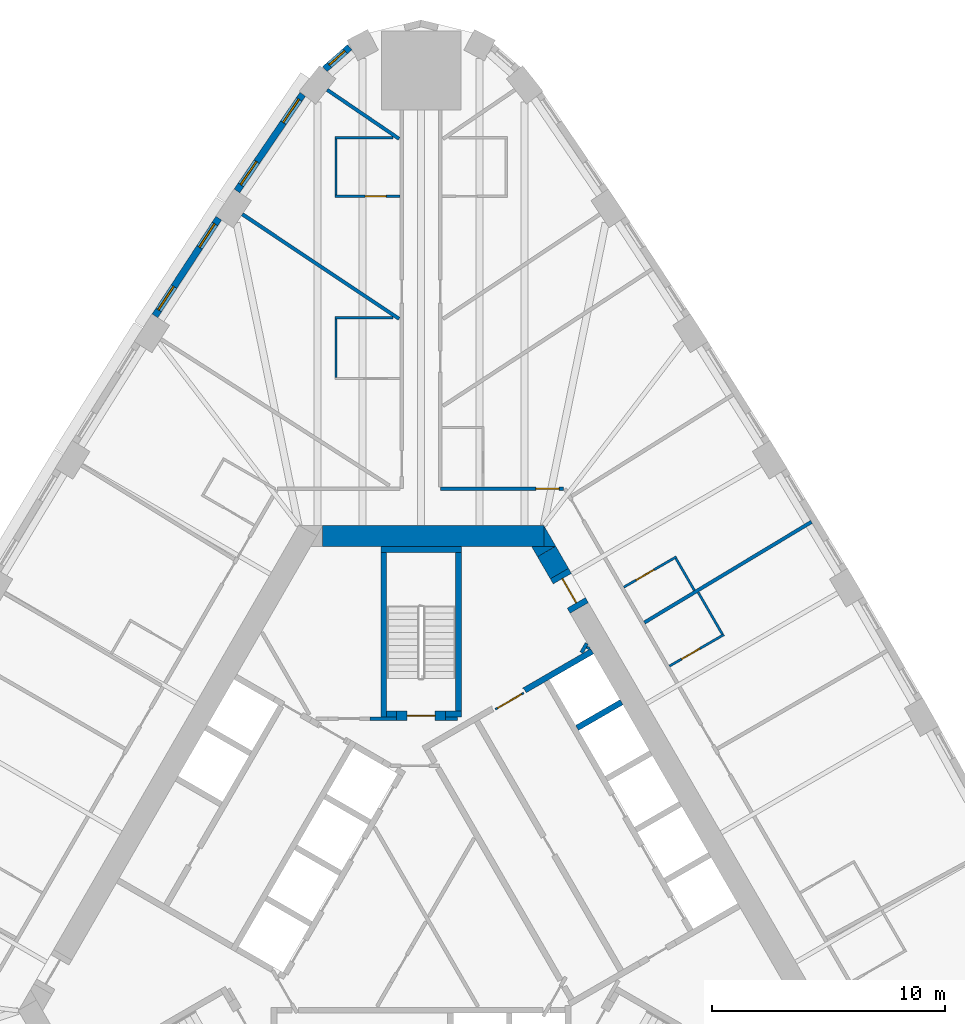
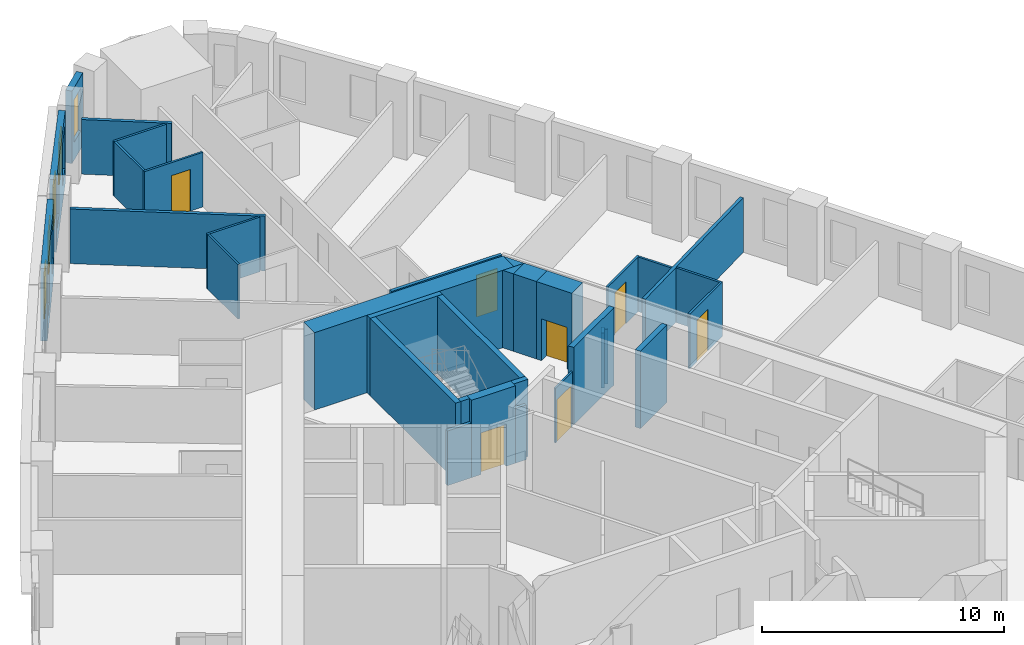
# One storey, part 10 of 13: 34 walls, 7 doors, 5 windows, 12 openings.
"""IFC4 building model written with IfcOpenShell, lengths in metres."""

from ifc_helpers import new_model, si_unit, direction, frame, frame_2d, origin, place, context, subcontext, project, spatial, polyline, rectangle, outline, extrude, material, layer, layer_set, type_object, element, fill, save


model = new_model("IFC4")

# Units and contexts
model_context = context("Model", 3, precision=1e-05, world=origin(), true_north=direction((0.0, 1.0)))
body_context = subcontext(model_context, "Body", "Model", "MODEL_VIEW")
ifc_project = project(units=[si_unit("LENGTHUNIT", "METRE"), si_unit("AREAUNIT", "SQUARE_METRE"), si_unit("VOLUMEUNIT", "CUBIC_METRE"), si_unit("PLANEANGLEUNIT", "RADIAN"), si_unit("MASSUNIT", "GRAM", prefix="KILO")], contexts=[model_context])

# Site, building, storey
site_placement = place(None, origin())
site = spatial("IfcSite", under=ifc_project, at=site_placement, CompositionType="ELEMENT")
building_placement = place(site_placement, origin())
building = spatial("IfcBuilding", under=site, at=building_placement, Name="Mestral Congress Tower", CompositionType="ELEMENT")
storey_placement = place(building_placement, frame((0.0, 0.0, 51.0)))
storey = spatial("IfcBuildingStorey", under=building, at=storey_placement, Name="L11", CompositionType="ELEMENT", Elevation=51.0)

# Walls
ifc_material_1 = material(Name="Fire-rated board partition")
ifc_layer_1 = layer(ifc_material_1, 0.14990234375)
ifc_layer_set_1 = layer_set([ifc_layer_1], Name="Fire-rated board partition")
wall_type_1 = type_object("IfcWallType", Name="Core partition 150", PredefinedType="PARTITIONING", material=ifc_layer_set_1)
wall_1_placement = place(storey_placement, frame((-2.195068359375, 8.62548828125, 0.0), z_axis=(0.0, 0.0, 1.0), x_axis=(1.0, 0.0, 0.0)))
element("IfcWall", 1, at=wall_1_placement, inside=storey, type_object=wall_type_1, Name="L11 core wall", PredefinedType="PARTITIONING", context=body_context, shape_type="SweptSolid", body=[
    extrude(rectangle(XDim=1.14501953125, YDim=0.14990234375, at=frame_2d((0.572509765625, 0.0))), origin(), (0.0, 0.0, 1.0), 2.75),
])
wall_2_placement = place(storey_placement, frame((1.050048828125, 8.62548828125, 0.0), z_axis=(0.0, 0.0, 1.0), x_axis=(1.0, 0.0, 0.0)))
element("IfcWall", 2, at=wall_2_placement, inside=storey, type_object=wall_type_1, Name="L11 core wall", PredefinedType="PARTITIONING", context=body_context, shape_type="SweptSolid", body=[
    extrude(rectangle(XDim=0.513916015625, YDim=0.14990234375, at=frame_2d((0.2568359375, 0.0))), origin(), (0.0, 0.0, 1.0), 2.75),
])
wall_3_placement = place(storey_placement, frame((6.87158203125, 11.44970703125, 0.0), z_axis=(0.0, 0.0, 1.0), x_axis=(0.499846793097, 0.866113839764, 0.0)))
element("IfcWall", 3, at=wall_3_placement, inside=storey, type_object=wall_type_1, Name="L11 core wall", PredefinedType="PARTITIONING", context=body_context, shape_type="SweptSolid", body=[
    extrude(rectangle(XDim=0.453369140625, YDim=0.14990234375, at=frame_2d((0.2265625, 0.0))), origin(), (0.0, 0.0, 1.0), 2.75),
])
wall_4_placement = place(storey_placement, frame((7.13134765625, 11.599609375, 0.0), z_axis=(0.0, 0.0, 1.0), x_axis=(0.498600033135, 0.866832167699, 0.0)))
element("IfcWall", 4, at=wall_4_placement, inside=storey, type_object=wall_type_1, Name="L11 core wall", PredefinedType="PARTITIONING", context=body_context, shape_type="SweptSolid", body=[
    extrude(rectangle(XDim=0.106689453125, YDim=0.14990234375, at=frame_2d((0.05322265625, 0.0))), origin(), (0.0, 0.0, 1.0), 2.75),
])

# Wall, opening, door
ifc_layer_2 = layer(ifc_material_1, 0.090087890625)
ifc_layer_set_2 = layer_set([ifc_layer_2], Name="Fire-rated board partition")
wall_type_2 = type_object("IfcWallType", Name="Core partition 150 door-wall 90", PredefinedType="PARTITIONING", material=ifc_layer_set_2)
wall_5_placement = place(storey_placement, frame((3.182861328125, 9.02001953125, 0.0), z_axis=(0.0, 0.0, 1.0), x_axis=(0.866034573852, 0.49998411664, 0.0)))
wall_5 = element("IfcWall", 5, at=wall_5_placement, inside=storey, type_object=wall_type_2, Name="L11 door wall", PredefinedType="PARTITIONING", context=body_context, shape_type="SweptSolid", body=[
    extrude(rectangle(XDim=1.39990234375, YDim=0.090087890625, at=frame_2d((0.699951171875, 0.0))), origin(), (0.0, 0.0, 1.0), 2.75),
])
opening_1_placement = place(wall_5_placement, frame((0.10009765625, 0.0, 0.0)))
opening_1 = element("IfcOpeningElement", 6, at=opening_1_placement, cuts=wall_5, Name="Opening LB1-WL2", PredefinedType="OPENING", context=body_context, shape_type="SweptSolid", body=[
    extrude(rectangle(XDim=1.199951171875, YDim=2.10009765625, at=frame_2d((0.60009765625, 1.050048828125))), frame((0.0, 0.054931640625, 0.0), z_axis=(0.0, -1.0, 0.0), x_axis=(1.0, 0.0, 0.0)), (0.0, 0.0, 1.0), 0.110107421875),
])
ifc_material_2 = material(Name="Fire-rated steel door set", Category="steel")
door_type_1 = type_object("IfcDoorType", Name="Core door LB 1200x2100", OperationType="SINGLE_SWING_LEFT", PredefinedType="DOOR", material=ifc_material_2)
door_1_placement = place(opening_1_placement, origin())
door_1 = element("IfcDoor", 7, at=door_1_placement, inside=storey, type_object=door_type_1, Name="Door LB1-WL2", OperationType="SINGLE_SWING_LEFT", OverallHeight=2.10009765625, OverallWidth=1.199951171875, PredefinedType="DOOR", context=body_context, shape_type="SweptSolid", body=[
    extrude(rectangle(XDim=1.199951171875, YDim=2.10009765625, at=frame_2d((0.60009765625, 1.050048828125))), frame((0.0, 0.02490234375, 0.0), z_axis=(0.0, -1.0, 0.0), x_axis=(1.0, 0.0, 0.0)), (0.0, 0.0, 1.0), 0.050048828125),
])
fill(opening_1, door_1)

# Walls
ifc_material_3 = material(Name="Concrete C60/75", Category="concrete")
ifc_layer_3 = layer(ifc_material_3, 0.89990234375)
ifc_layer_set_3 = layer_set([ifc_layer_3], Name="Concrete C60/75")
wall_type_3 = type_object("IfcWallType", Name="Core wall RC 900", PredefinedType="SOLIDWALL", material=ifc_layer_set_3)
wall_6_placement = place(storey_placement, frame((-4.224365234375, 16.449951171875, 0.0), z_axis=(0.0, 0.0, 1.0), x_axis=(1.0, 0.0, 0.0)))
element("IfcWall", 8, at=wall_6_placement, inside=storey, type_object=wall_type_3, Name="L11 core wall", PredefinedType="SOLIDWALL", context=body_context, shape_type="SweptSolid", body=[
    extrude(rectangle(XDim=9.48779296875, YDim=0.89990234375, at=frame_2d((4.743896484375, 0.0))), origin(), (0.0, 0.0, 1.0), 3.89990234375),
])
placement = place(storey_placement, origin())
element("IfcWall", 9, at=placement, inside=storey, type_object=wall_type_3, Name="L11 core wall", PredefinedType="SOLIDWALL", context=body_context, shape_type="SweptSolid", body=[
    extrude(outline(polyline([(5.265380859375, 16.0), (5.265380859375, 16.8798828125), (5.7734375, 16.0), (5.265380859375, 16.0)])), origin(), (0.0, 0.0, 1.0), 3.89990234375),
])
wall_8_placement = place(storey_placement, frame((5.92578125, 14.836181640625, 0.0), z_axis=(0.0, 0.0, 1.0), x_axis=(-0.500076735116, 0.865981096212, 0.0)))
element("IfcWall", 10, at=wall_8_placement, inside=storey, type_object=wall_type_3, Name="L11 core wall", PredefinedType="SOLIDWALL", context=body_context, shape_type="SweptSolid", body=[
    extrude(rectangle(XDim=1.093505859375, YDim=0.89990234375, at=frame_2d((0.546875, 0.0))), origin(), (0.0, 0.0, 1.0), 3.89990234375),
])
element("IfcWall", 11, at=placement, inside=storey, type_object=wall_type_3, Name="L11 core wall", PredefinedType="SOLIDWALL", context=body_context, shape_type="SweptSolid", body=[
    extrude(outline(polyline([(4.734375, 16.0), (5.750244140625, 16.0), (4.98828125, 15.56005859375), (4.734375, 16.0)])), origin(), (0.0, 0.0, 1.0), 3.89990234375),
])

# Wall, opening, door
wall_10_placement = place(storey_placement, frame((5.92578125, 14.836181640625, 0.0), z_axis=(0.0, 0.0, 1.0), x_axis=(0.500062241894, -0.865989465428, 0.0)))
wall_10 = element("IfcWall", 12, at=wall_10_placement, inside=storey, type_object=wall_type_3, Name="L11 door wall", PredefinedType="SOLIDWALL", context=body_context, shape_type="SweptSolid", body=[
    extrude(rectangle(XDim=1.699951171875, YDim=0.89990234375, at=frame_2d((0.85009765625, 0.0))), origin(), (0.0, 0.0, 1.0), 3.89990234375),
])
opening_2_placement = place(wall_10_placement, frame((0.25, 0.0, 0.0)))
opening_2 = element("IfcOpeningElement", 13, at=opening_2_placement, cuts=wall_10, Name="Opening XD2", PredefinedType="OPENING", context=body_context, shape_type="SweptSolid", body=[
    extrude(rectangle(XDim=1.199951171875, YDim=2.10009765625, at=frame_2d((0.60009765625, 1.050048828125))), frame((0.0, 0.4599609375, 0.0), z_axis=(0.0, -1.0, 0.0), x_axis=(1.0, 0.0, 0.0)), (0.0, 0.0, 1.0), 0.919921875),
])
door_type_2 = type_object("IfcDoorType", Name="Core door XD 1200x2100", OperationType="SINGLE_SWING_LEFT", PredefinedType="DOOR", material=ifc_material_2)
door_2_placement = place(opening_2_placement, origin())
door_2 = element("IfcDoor", 14, at=door_2_placement, inside=storey, type_object=door_type_2, Name="Door XD2", OperationType="SINGLE_SWING_LEFT", OverallHeight=2.10009765625, OverallWidth=1.199951171875, PredefinedType="DOOR", context=body_context, shape_type="SweptSolid", body=[
    extrude(rectangle(XDim=1.199951171875, YDim=2.10009765625, at=frame_2d((0.60009765625, 1.050048828125))), frame((0.0, 0.02490234375, 0.0), z_axis=(0.0, -1.0, 0.0), x_axis=(1.0, 0.0, 0.0)), (0.0, 0.0, 1.0), 0.050048828125),
])
fill(opening_2, door_2)

# Wall, opening, window
ifc_material_4 = material(Name="Precast concrete C40/50 with limestone facing", Category="masonry")
ifc_layer_4 = layer(ifc_material_4, 0.2900390625)
ifc_layer_set_4 = layer_set([ifc_layer_4], Name="Precast concrete C40/50 with limestone facing")
wall_type_4 = type_object("IfcWallType", Name="Facade stone wall 290", PredefinedType="SOLIDWALL", material=ifc_layer_set_4)
wall_11_placement = place(storey_placement, frame((-3.064453125, 37.395263671875, 0.0), z_axis=(0.0, 0.0, 1.0), x_axis=(-0.749812680302, -0.661650167731, 0.0)))
wall_11 = element("IfcWall", 15, at=wall_11_placement, inside=storey, type_object=wall_type_4, Name="Facade wall K1-3", PredefinedType="SOLIDWALL", context=body_context, shape_type="SweptSolid", body=[
    extrude(rectangle(XDim=1.4150390625, YDim=0.2900390625, at=frame_2d((0.70751953125, 0.0))), origin(), (0.0, 0.0, 1.0), 3.64990234375),
])
opening_3_placement = place(wall_11_placement, frame((0.257568359375, 0.0, 0.89990234375)))
opening_3 = element("IfcOpeningElement", 16, at=opening_3_placement, cuts=wall_11, Name="Opening W3", PredefinedType="OPENING", context=body_context, shape_type="SweptSolid", body=[
    extrude(rectangle(XDim=0.89990234375, YDim=2.14990234375, at=frame_2d((0.449951171875, 1.074951171875))), frame((0.0, 0.155029296875, 0.0), z_axis=(0.0, -1.0, 0.0), x_axis=(1.0, 0.0, 0.0)), (0.0, 0.0, 1.0), 0.31005859375),
])
ifc_material_5 = material(Name="Clear low-emissivity double glazing", Category="glass")
window_type_1 = type_object("IfcWindowType", Name="Facade punched window 900 x 2150 sill 900", PartitioningType="SINGLE_PANEL", PredefinedType="WINDOW", material=ifc_material_5)
window_1_placement = place(opening_3_placement, origin())
window_1 = element("IfcWindow", 17, at=window_1_placement, inside=storey, type_object=window_type_1, Name="Window K1-3", OverallHeight=2.14990234375, OverallWidth=0.89990234375, PartitioningType="SINGLE_PANEL", PredefinedType="WINDOW", context=body_context, shape_type="SweptSolid", body=[
    extrude(rectangle(XDim=0.89990234375, YDim=2.14990234375, at=frame_2d((0.449951171875, 1.074951171875))), frame((0.0, 0.01513671875, 0.0), z_axis=(0.0, -1.0, 0.0), x_axis=(1.0, 0.0, 0.0)), (0.0, 0.0, 1.0), 0.06005859375),
])
fill(opening_3, window_1)

# Wall, openings, windows
wall_12_placement = place(storey_placement, frame((-5.078369140625, 35.37646484375, 0.0), z_axis=(0.0, 0.0, 1.0), x_axis=(-0.562610153679, -0.826722332454, 0.0)))
wall_12 = element("IfcWall", 18, at=wall_12_placement, inside=storey, type_object=wall_type_4, Name="Facade wall F2-00", PredefinedType="SOLIDWALL", context=body_context, shape_type="SweptSolid", body=[
    extrude(rectangle(XDim=5.005615234375, YDim=0.2900390625, at=frame_2d((2.5029296875, 0.0))), origin(), (0.0, 0.0, 1.0), 3.64990234375),
])
opening_4_placement = place(wall_12_placement, frame((0.26513671875, 0.0, 0.89990234375)))
opening_4 = element("IfcOpeningElement", 19, at=opening_4_placement, cuts=wall_12, Name="Opening W1", PredefinedType="OPENING", context=body_context, shape_type="SweptSolid", body=[
    extrude(rectangle(XDim=1.199951171875, YDim=2.14990234375, at=frame_2d((0.60009765625, 1.074951171875))), frame((0.0, 0.155029296875, 0.0), z_axis=(0.0, -1.0, 0.0), x_axis=(1.0, 0.0, 0.0)), (0.0, 0.0, 1.0), 0.31005859375),
])
opening_5_placement = place(wall_12_placement, frame((3.495361328125, 0.0, 0.89990234375)))
opening_5 = element("IfcOpeningElement", 20, at=opening_5_placement, cuts=wall_12, Name="Opening W1", PredefinedType="OPENING", context=body_context, shape_type="SweptSolid", body=[
    extrude(rectangle(XDim=1.199951171875, YDim=2.14990234375, at=frame_2d((0.60009765625, 1.074951171875))), frame((0.0, 0.155029296875, 0.0), z_axis=(0.0, -1.0, 0.0), x_axis=(1.0, 0.0, 0.0)), (0.0, 0.0, 1.0), 0.31005859375),
])
window_type_2 = type_object("IfcWindowType", Name="Facade punched window 1200 x 2150 sill 900", PartitioningType="DOUBLE_PANEL_VERTICAL", PredefinedType="WINDOW", material=ifc_material_5)
window_2_placement = place(opening_4_placement, origin())
window_2 = element("IfcWindow", 21, at=window_2_placement, inside=storey, type_object=window_type_2, Name="Window F2-00a", OverallHeight=2.14990234375, OverallWidth=1.199951171875, PartitioningType="DOUBLE_PANEL_VERTICAL", PredefinedType="WINDOW", context=body_context, shape_type="SweptSolid", body=[
    extrude(rectangle(XDim=1.199951171875, YDim=2.14990234375, at=frame_2d((0.60009765625, 1.074951171875))), frame((0.0, 0.01513671875, 0.0), z_axis=(0.0, -1.0, 0.0), x_axis=(1.0, 0.0, 0.0)), (0.0, 0.0, 1.0), 0.06005859375),
])
fill(opening_4, window_2)
window_3_placement = place(opening_5_placement, origin())
window_3 = element("IfcWindow", 22, at=window_3_placement, inside=storey, type_object=window_type_2, Name="Window F2-00b", OverallHeight=2.14990234375, OverallWidth=1.199951171875, PartitioningType="DOUBLE_PANEL_VERTICAL", PredefinedType="WINDOW", context=body_context, shape_type="SweptSolid", body=[
    extrude(rectangle(XDim=1.199951171875, YDim=2.14990234375, at=frame_2d((0.60009765625, 1.074951171875))), frame((0.0, 0.01513671875, 0.0), z_axis=(0.0, -1.0, 0.0), x_axis=(1.0, 0.0, 0.0)), (0.0, 0.0, 1.0), 0.06005859375),
])
fill(opening_5, window_3)

wall_13_placement = place(storey_placement, frame((-8.675537109375, 30.067626953125, 0.0), z_axis=(0.0, 0.0, 1.0), x_axis=(-0.547204617628, -0.836998868845, 0.0)))
wall_13 = element("IfcWall", 23, at=wall_13_placement, inside=storey, type_object=wall_type_4, Name="Facade wall F2-01", PredefinedType="SOLIDWALL", context=body_context, shape_type="SweptSolid", body=[
    extrude(rectangle(XDim=4.998291015625, YDim=0.2900390625, at=frame_2d((2.4990234375, 0.0))), origin(), (0.0, 0.0, 1.0), 3.64990234375),
])
opening_6_placement = place(wall_13_placement, frame((0.297119140625, 0.0, 0.89990234375)))
opening_6 = element("IfcOpeningElement", 24, at=opening_6_placement, cuts=wall_13, Name="Opening W1", PredefinedType="OPENING", context=body_context, shape_type="SweptSolid", body=[
    extrude(rectangle(XDim=1.199951171875, YDim=2.14990234375, at=frame_2d((0.60009765625, 1.074951171875))), frame((0.0, 0.155029296875, 0.0), z_axis=(0.0, -1.0, 0.0), x_axis=(1.0, 0.0, 0.0)), (0.0, 0.0, 1.0), 0.31005859375),
])
opening_7_placement = place(wall_13_placement, frame((3.501220703125, 0.0, 0.89990234375)))
opening_7 = element("IfcOpeningElement", 25, at=opening_7_placement, cuts=wall_13, Name="Opening W1", PredefinedType="OPENING", context=body_context, shape_type="SweptSolid", body=[
    extrude(rectangle(XDim=1.199951171875, YDim=2.14990234375, at=frame_2d((0.60009765625, 1.074951171875))), frame((0.0, 0.155029296875, 0.0), z_axis=(0.0, -1.0, 0.0), x_axis=(1.0, 0.0, 0.0)), (0.0, 0.0, 1.0), 0.31005859375),
])
window_4_placement = place(opening_6_placement, origin())
window_4 = element("IfcWindow", 26, at=window_4_placement, inside=storey, type_object=window_type_2, Name="Window F2-01a", OverallHeight=2.14990234375, OverallWidth=1.199951171875, PartitioningType="DOUBLE_PANEL_VERTICAL", PredefinedType="WINDOW", context=body_context, shape_type="SweptSolid", body=[
    extrude(rectangle(XDim=1.199951171875, YDim=2.14990234375, at=frame_2d((0.60009765625, 1.074951171875))), frame((0.0, 0.01513671875, 0.0), z_axis=(0.0, -1.0, 0.0), x_axis=(1.0, 0.0, 0.0)), (0.0, 0.0, 1.0), 0.06005859375),
])
fill(opening_6, window_4)
window_5_placement = place(opening_7_placement, origin())
window_5 = element("IfcWindow", 27, at=window_5_placement, inside=storey, type_object=window_type_2, Name="Window F2-01b", OverallHeight=2.14990234375, OverallWidth=1.199951171875, PartitioningType="DOUBLE_PANEL_VERTICAL", PredefinedType="WINDOW", context=body_context, shape_type="SweptSolid", body=[
    extrude(rectangle(XDim=1.199951171875, YDim=2.14990234375, at=frame_2d((0.60009765625, 1.074951171875))), frame((0.0, 0.01513671875, 0.0), z_axis=(0.0, -1.0, 0.0), x_axis=(1.0, 0.0, 0.0)), (0.0, 0.0, 1.0), 0.06005859375),
])
fill(opening_7, window_5)

# Wall, opening, door
ifc_material_6 = material(Name="Gypsum board partition on metal studs with mineral wool", Category="composite")
ifc_layer_5 = layer(ifc_material_6, 0.10009765625)
ifc_layer_set_5 = layer_set([ifc_layer_5], Name="Gypsum board partition on metal studs with mineral wool")
wall_type_5 = type_object("IfcWallType", Name="Hotel partition wall 100", PredefinedType="PARTITIONING", material=ifc_layer_set_5)
wall_14_placement = place(storey_placement, frame((10.640380859375, 10.87060546875, 0.0), z_axis=(0.0, 0.0, 1.0), x_axis=(0.866036505625, 0.499980770555, 0.0)))
wall_14 = element("IfcWall", 28, at=wall_14_placement, inside=storey, type_object=wall_type_5, Name="L11-h-pod13a", PredefinedType="PARTITIONING", context=body_context, shape_type="SweptSolid", body=[
    extrude(rectangle(XDim=2.69970703125, YDim=0.10009765625, at=frame_2d((1.349853515625, 0.0))), origin(), (0.0, 0.0, 1.0), 2.75),
])
opening_8_placement = place(wall_14_placement, frame((0.60009765625, 0.0, 0.0)))
opening_8 = element("IfcOpeningElement", 29, at=opening_8_placement, cuts=wall_14, Name="Opening H03-026", PredefinedType="OPENING", context=body_context, shape_type="SweptSolid", body=[
    extrude(rectangle(XDim=0.89990234375, YDim=2.10009765625, at=frame_2d((0.449951171875, 1.050048828125))), frame((0.0, 0.06005859375, 0.0), z_axis=(0.0, -1.0, 0.0), x_axis=(1.0, 0.0, 0.0)), (0.0, 0.0, 1.0), 0.1201171875),
])
ifc_material_7 = material(Name="Timber veneer door leaf in timber frame", Category="wood")
door_type_3 = type_object("IfcDoorType", Name="Bathroom door 900", OperationType="SINGLE_SWING_LEFT", PredefinedType="DOOR", material=ifc_material_7)
door_3_placement = place(opening_8_placement, origin())
door_3 = element("IfcDoor", 30, at=door_3_placement, inside=storey, type_object=door_type_3, Name="L11-h-d026", OperationType="SINGLE_SWING_LEFT", OverallHeight=2.10009765625, OverallWidth=0.89990234375, PredefinedType="DOOR", context=body_context, shape_type="SweptSolid", body=[
    extrude(rectangle(XDim=0.89990234375, YDim=2.10009765625, at=frame_2d((0.449951171875, 1.050048828125))), frame((0.0, 0.02490234375, 0.0), z_axis=(0.0, -1.0, 0.0), x_axis=(1.0, 0.0, 0.0)), (0.0, 0.0, 1.0), 0.050048828125),
])
fill(opening_8, door_3)

# Wall
wall_15_placement = place(storey_placement, frame((12.91015625, 12.23876953125, 0.0), z_axis=(0.0, 0.0, 1.0), x_axis=(-0.499957272447, 0.866050071143, 0.0)))
element("IfcWall", 31, at=wall_15_placement, inside=storey, type_object=wall_type_5, Name="L11-h-pod13b", PredefinedType="PARTITIONING", context=body_context, shape_type="SweptSolid", body=[
    extrude(rectangle(XDim=2.070068359375, YDim=0.10009765625, at=frame_2d((1.03515625, 0.0))), origin(), (0.0, 0.0, 1.0), 2.75),
])

# Wall, opening, door
wall_16_placement = place(storey_placement, frame((10.938232421875, 15.55419921875, 0.0), z_axis=(0.0, 0.0, 1.0), x_axis=(-0.866062058628, -0.499936506574, 0.0)))
wall_16 = element("IfcWall", 32, at=wall_16_placement, inside=storey, type_object=wall_type_5, Name="L11-h-pod14a", PredefinedType="PARTITIONING", context=body_context, shape_type="SweptSolid", body=[
    extrude(rectangle(XDim=2.599853515625, YDim=0.10009765625, at=frame_2d((1.2998046875, 0.0))), origin(), (0.0, 0.0, 1.0), 2.75),
])
opening_9_placement = place(wall_16_placement, frame((1.10009765625, 0.0, 0.0)))
opening_9 = element("IfcOpeningElement", 33, at=opening_9_placement, cuts=wall_16, Name="Opening H03-028", PredefinedType="OPENING", context=body_context, shape_type="SweptSolid", body=[
    extrude(rectangle(XDim=0.89990234375, YDim=2.10009765625, at=frame_2d((0.449951171875, 1.050048828125))), frame((0.0, 0.06005859375, 0.0), z_axis=(0.0, -1.0, 0.0), x_axis=(1.0, 0.0, 0.0)), (0.0, 0.0, 1.0), 0.1201171875),
])
door_4_placement = place(opening_9_placement, origin())
door_4 = element("IfcDoor", 34, at=door_4_placement, inside=storey, type_object=door_type_3, Name="L11-h-d028", OperationType="SINGLE_SWING_LEFT", OverallHeight=2.10009765625, OverallWidth=0.89990234375, PredefinedType="DOOR", context=body_context, shape_type="SweptSolid", body=[
    extrude(rectangle(XDim=0.89990234375, YDim=2.10009765625, at=frame_2d((0.449951171875, 1.050048828125))), frame((0.0, 0.02490234375, 0.0), z_axis=(0.0, -1.0, 0.0), x_axis=(1.0, 0.0, 0.0)), (0.0, 0.0, 1.0), 0.050048828125),
])
fill(opening_9, door_4)

# Wall
wall_17_placement = place(storey_placement, frame((10.919921875, 15.486083984375, 0.0), z_axis=(0.0, 0.0, 1.0), x_axis=(0.499994407638, -0.866028632512, 0.0)))
element("IfcWall", 35, at=wall_17_placement, inside=storey, type_object=wall_type_5, Name="L11-h-pod14b", PredefinedType="PARTITIONING", context=body_context, shape_type="SweptSolid", body=[
    extrude(rectangle(XDim=1.580078125, YDim=0.10009765625, at=frame_2d((0.7900390625, 0.0))), origin(), (0.0, 0.0, 1.0), 2.75),
])

# Wall, opening, door
wall_18_placement = place(storey_placement, frame((-3.699951171875, 31.008544921875, 0.0), z_axis=(0.0, 0.0, 1.0), x_axis=(1.0, 0.0, 0.0)))
wall_18 = element("IfcWall", 36, at=wall_18_placement, inside=storey, type_object=wall_type_5, Name="L11-h-pod18a", PredefinedType="PARTITIONING", context=body_context, shape_type="SweptSolid", body=[
    extrude(rectangle(XDim=2.800048828125, YDim=0.10009765625, at=frame_2d((1.39990234375, 0.0))), origin(), (0.0, 0.0, 1.0), 2.75),
])
opening_10_placement = place(wall_18_placement, frame((1.300048828125, 0.0, 0.0)))
opening_10 = element("IfcOpeningElement", 37, at=opening_10_placement, cuts=wall_18, Name="Opening H03-035", PredefinedType="OPENING", context=body_context, shape_type="SweptSolid", body=[
    extrude(rectangle(XDim=0.89990234375, YDim=2.10009765625, at=frame_2d((0.449951171875, 1.050048828125))), frame((0.0, 0.06005859375, 0.0), z_axis=(0.0, -1.0, 0.0), x_axis=(1.0, 0.0, 0.0)), (0.0, 0.0, 1.0), 0.1201171875),
])
door_5_placement = place(opening_10_placement, origin())
door_5 = element("IfcDoor", 38, at=door_5_placement, inside=storey, type_object=door_type_3, Name="L11-h-d035", OperationType="SINGLE_SWING_RIGHT", OverallHeight=2.10009765625, OverallWidth=0.89990234375, PredefinedType="DOOR", context=body_context, shape_type="SweptSolid", body=[
    extrude(rectangle(XDim=0.89990234375, YDim=2.10009765625, at=frame_2d((0.449951171875, 1.050048828125))), frame((0.0, 0.02490234375, 0.0), z_axis=(0.0, -1.0, 0.0), x_axis=(1.0, 0.0, 0.0)), (0.0, 0.0, 1.0), 0.050048828125),
])
fill(opening_10, door_5)

# Walls
wall_19_placement = place(storey_placement, frame((-3.64990234375, 31.05859375, 0.0), z_axis=(0.0, 0.0, 1.0), x_axis=(0.0, 1.0, 0.0)))
element("IfcWall", 39, at=wall_19_placement, inside=storey, type_object=wall_type_5, Name="L11-h-pod18b", PredefinedType="PARTITIONING", context=body_context, shape_type="SweptSolid", body=[
    extrude(rectangle(XDim=2.39990234375, YDim=0.10009765625, at=frame_2d((1.199951171875, 0.0))), origin(), (0.0, 0.0, 1.0), 2.75),
])
for number, where, z_axis, x_axis, name in (
    (40, (-1.199951171875, 33.508544921875, 0.0), (0.0, 0.0, 1.0), (-1.0, 0.0, 0.0), "L11-h-pod18c"),
    (41, (-3.64990234375, 23.24462890625, 0.0), (0.0, 0.0, 1.0), (0.0, 1.0, 0.0), "L11-h-pod19b"),
):
    element("IfcWall", number, at=place(storey_placement, frame(where, z_axis=z_axis, x_axis=x_axis)), inside=storey, type_object=wall_type_5, Name=name, PredefinedType="PARTITIONING", context=body_context, shape_type="SweptSolid", body=[
        extrude(rectangle(XDim=2.5, YDim=0.10009765625, at=frame_2d((1.25, 0.0))), origin(), (0.0, 0.0, 1.0), 2.75),
    ])
wall_20_placement = place(storey_placement, frame((-1.2099609375, 25.794677734375, 0.0), z_axis=(0.0, 0.0, 1.0), x_axis=(-1.0, 0.0, 0.0)))
element("IfcWall", 42, at=wall_20_placement, inside=storey, type_object=wall_type_5, Name="L11-h-pod19c", PredefinedType="PARTITIONING", context=body_context, shape_type="SweptSolid", body=[
    extrude(rectangle(XDim=2.489990234375, YDim=0.10009765625, at=frame_2d((1.2451171875, 0.0))), origin(), (0.0, 0.0, 1.0), 2.75),
])

# Wall, opening, door
ifc_layer_6 = layer(ifc_material_6, 0.14990234375)
ifc_layer_set_6 = layer_set([ifc_layer_6], Name="Gypsum board partition on metal studs with mineral wool")
wall_type_6 = type_object("IfcWallType", Name="Hotel partition wall 150", PredefinedType="PARTITIONING", material=ifc_layer_set_6)
wall_21_placement = place(storey_placement, frame((0.824951171875, 18.47509765625, 0.0), z_axis=(0.0, 0.0, 1.0), x_axis=(1.0, 0.0, 0.0)))
wall_21 = element("IfcWall", 43, at=wall_21_placement, inside=storey, type_object=wall_type_6, Name="L11-h-cw04", PredefinedType="PARTITIONING", context=body_context, shape_type="SweptSolid", body=[
    extrude(rectangle(XDim=5.268310546875, YDim=0.14990234375, at=frame_2d((2.63427734375, 0.0))), origin(), (0.0, 0.0, 1.0), 2.75),
])
opening_11_placement = place(wall_21_placement, frame((4.088134765625, 0.0, 0.0)))
opening_11 = element("IfcOpeningElement", 44, at=opening_11_placement, cuts=wall_21, Name="Opening H03-029", PredefinedType="OPENING", context=body_context, shape_type="SweptSolid", body=[
    extrude(rectangle(XDim=1.0, YDim=2.10009765625, at=frame_2d((0.5, 1.050048828125))), frame((0.0, 0.0849609375, 0.0), z_axis=(0.0, -1.0, 0.0), x_axis=(1.0, 0.0, 0.0)), (0.0, 0.0, 1.0), 0.169921875),
])
ifc_material_8 = material(Name="Timber veneer door leaf in metal frame", Category="wood")
door_type_4 = type_object("IfcDoorType", Name="Guest room entrance door 1000", OperationType="SINGLE_SWING_LEFT", PredefinedType="DOOR", material=ifc_material_8)
door_6_placement = place(opening_11_placement, origin())
door_6 = element("IfcDoor", 45, at=door_6_placement, inside=storey, type_object=door_type_4, Name="L11-h-d029", OperationType="SINGLE_SWING_RIGHT", OverallHeight=2.10009765625, OverallWidth=1.0, PredefinedType="DOOR", context=body_context, shape_type="SweptSolid", body=[
    extrude(rectangle(XDim=1.0, YDim=2.10009765625, at=frame_2d((0.5, 1.050048828125))), frame((0.0, 0.02490234375, 0.0), z_axis=(0.0, -1.0, 0.0), x_axis=(1.0, 0.0, 0.0)), (0.0, 0.0, 1.0), 0.050048828125),
])
fill(opening_11, door_6)

# Walls
wall_22_placement = place(storey_placement, frame((-4.02783203125, 35.56884765625, 0.0), z_axis=(0.0, 0.0, 1.0), x_axis=(0.826700206326, -0.56264266534, 0.0)))
element("IfcWall", 46, at=wall_22_placement, inside=storey, type_object=wall_type_6, Name="L11-h-pw11", PredefinedType="PARTITIONING", context=body_context, shape_type="SweptSolid", body=[
    extrude(rectangle(XDim=3.7333984375, YDim=0.14990234375, at=frame_2d((1.86669921875, 0.0))), origin(), (0.0, 0.0, 1.0), 2.75),
])
wall_23_placement = place(storey_placement, frame((-7.662353515625, 30.237548828125, 0.0), z_axis=(0.0, 0.0, 1.0), x_axis=(0.831882886825, -0.554951225431, 0.0)))
element("IfcWall", 47, at=wall_23_placement, inside=storey, type_object=wall_type_6, Name="L11-h-pw13", PredefinedType="PARTITIONING", context=body_context, shape_type="SweptSolid", body=[
    extrude(rectangle(XDim=8.078857421875, YDim=0.14990234375, at=frame_2d((4.03955078125, 0.0))), origin(), (0.0, 0.0, 1.0), 2.75),
])
wall_24_placement = place(storey_placement, frame((16.7294921875, 17.051513671875, 0.0), z_axis=(0.0, 0.0, 1.0), x_axis=(-0.856630606266, -0.515930232113, 0.0)))
element("IfcWall", 48, at=wall_24_placement, inside=storey, type_object=wall_type_6, Name="L11-h-pw20", PredefinedType="PARTITIONING", context=body_context, shape_type="SweptSolid", body=[
    extrude(rectangle(XDim=8.35546875, YDim=0.14990234375, at=frame_2d((4.177734375, 0.0))), origin(), (0.0, 0.0, 1.0), 2.75),
])
ifc_layer_7 = layer(ifc_material_3, 0.25)
ifc_layer_set_7 = layer_set([ifc_layer_7], Name="Concrete C60/75")
wall_type_7 = type_object("IfcWallType", Name="Shaft wall RC 250", PredefinedType="SOLIDWALL", material=ifc_layer_set_7)
wall_25_placement = place(storey_placement, frame((6.68359375, 8.2236328125, 0.0), z_axis=(0.0, 0.0, 1.0), x_axis=(0.86605622881, 0.499946605688, 0.0)))
element("IfcWall", 49, at=wall_25_placement, inside=storey, type_object=wall_type_7, Name="L11 core wall", PredefinedType="SOLIDWALL", context=body_context, shape_type="SweptSolid", body=[
    extrude(rectangle(XDim=2.199951171875, YDim=0.25, at=frame_2d((1.10009765625, 0.0))), origin(), (0.0, 0.0, 1.0), 3.89990234375),
])
element("IfcWall", 50, at=placement, inside=storey, type_object=wall_type_7, Name="L11 core wall", PredefinedType="SOLIDWALL", context=body_context, shape_type="SweptSolid", body=[
    extrude(outline(polyline([(5.26953125, 10.172607421875), (5.26953125, 10.172607421875), (4.68310546875, 9.833984375), (4.50439453125, 9.73095703125), (4.44189453125, 9.839111328125), (4.431396484375, 9.855712890625), (4.419189453125, 9.87109375), (4.405517578125, 9.885009765625), (4.390380859375, 9.897705078125), (4.374267578125, 9.908935546875), (4.357177734375, 9.91845703125), (4.34130859375, 9.92529296875), (7.266357421875, 11.6142578125), (7.391357421875, 11.397705078125), (5.486083984375, 10.2978515625), (5.486083984375, 10.2978515625), (5.26953125, 10.1728515625), (5.26953125, 10.172607421875)])), origin(), (0.0, 0.0, 1.0), 3.89990234375),
])
ifc_layer_8 = layer(ifc_material_3, 0.25)
ifc_layer_set_8 = layer_set([ifc_layer_8], Name="Concrete C60/75")
wall_type_8 = type_object("IfcWallType", Name="Stair wall RC 250", PredefinedType="SOLIDWALL", material=ifc_layer_set_8)
wall_27_placement = place(storey_placement, frame((-1.72509765625, 15.875, 0.0), z_axis=(0.0, 0.0, 1.0), x_axis=(1.0, 0.0, 0.0)))
element("IfcWall", 51, at=wall_27_placement, inside=storey, type_object=wall_type_8, Name="L11 core wall", PredefinedType="SOLIDWALL", context=body_context, shape_type="SweptSolid", body=[
    extrude(rectangle(XDim=3.4501953125, YDim=0.25, at=frame_2d((1.72509765625, 0.0))), origin(), (0.0, 0.0, 1.0), 3.89990234375),
])
wall_28_placement = place(storey_placement, frame((1.60009765625, 8.949951171875, 0.0), z_axis=(0.0, 0.0, 1.0), x_axis=(0.0, 1.0, 0.0)))
element("IfcWall", 52, at=wall_28_placement, inside=storey, type_object=wall_type_8, Name="L11 core wall", PredefinedType="SOLIDWALL", context=body_context, shape_type="SweptSolid", body=[
    extrude(rectangle(XDim=6.800048828125, YDim=0.25, at=frame_2d((3.39990234375, 0.0))), origin(), (0.0, 0.0, 1.0), 3.89990234375),
])
wall_29_placement = place(storey_placement, frame((1.050048828125, 8.824951171875, 0.0), z_axis=(0.0, 0.0, 1.0), x_axis=(1.0, 0.0, 0.0)))
element("IfcWall", 53, at=wall_29_placement, inside=storey, type_object=wall_type_8, Name="L11 core wall", PredefinedType="SOLIDWALL", context=body_context, shape_type="SweptSolid", body=[
    extrude(rectangle(XDim=0.675048828125, YDim=0.25, at=frame_2d((0.33740234375, 0.0))), origin(), (0.0, 0.0, 1.0), 3.89990234375),
])
wall_30_placement = place(storey_placement, frame((-1.60009765625, 8.699951171875, 0.0), z_axis=(0.0, 0.0, 1.0), x_axis=(0.0, 1.0, 0.0)))
element("IfcWall", 54, at=wall_30_placement, inside=storey, type_object=wall_type_8, Name="L11 core wall", PredefinedType="SOLIDWALL", context=body_context, shape_type="SweptSolid", body=[
    extrude(rectangle(XDim=7.050048828125, YDim=0.25, at=frame_2d((3.52490234375, 0.0))), origin(), (0.0, 0.0, 1.0), 3.89990234375),
])
wall_31_placement = place(storey_placement, frame((-1.47509765625, 8.824951171875, 0.0), z_axis=(0.0, 0.0, 1.0), x_axis=(1.0, 0.0, 0.0)))
element("IfcWall", 55, at=wall_31_placement, inside=storey, type_object=wall_type_8, Name="L11 core wall", PredefinedType="SOLIDWALL", context=body_context, shape_type="SweptSolid", body=[
    extrude(rectangle(XDim=0.425048828125, YDim=0.25, at=frame_2d((0.21240234375, 0.0))), origin(), (0.0, 0.0, 1.0), 3.89990234375),
])

# Wall, opening, door
ifc_layer_9 = layer(ifc_material_3, 0.39990234375)
ifc_layer_set_9 = layer_set([ifc_layer_9], Name="Concrete C60/75")
wall_type_9 = type_object("IfcWallType", Name="Stair wall RC 250 door-wall 400", PredefinedType="SOLIDWALL", material=ifc_layer_set_9)
wall_32_placement = place(storey_placement, frame((1.050048828125, 8.75, 0.0), z_axis=(0.0, 0.0, 1.0), x_axis=(-1.0, 0.0, 0.0)))
wall_32 = element("IfcWall", 56, at=wall_32_placement, inside=storey, type_object=wall_type_9, Name="L11 door wall", PredefinedType="SOLIDWALL", context=body_context, shape_type="SweptSolid", body=[
    extrude(rectangle(XDim=2.10009765625, YDim=0.39990234375, at=frame_2d((1.050048828125, 0.0))), origin(), (0.0, 0.0, 1.0), 3.89990234375),
])
opening_12_placement = place(wall_32_placement, frame((0.449951171875, 0.0, 0.0)))
opening_12 = element("IfcOpeningElement", 57, at=opening_12_placement, cuts=wall_32, Name="Opening ST-D2", PredefinedType="OPENING", context=body_context, shape_type="SweptSolid", body=[
    extrude(rectangle(XDim=1.199951171875, YDim=2.10009765625, at=frame_2d((0.60009765625, 1.050048828125))), frame((0.0, 0.2099609375, 0.0), z_axis=(0.0, -1.0, 0.0), x_axis=(1.0, 0.0, 0.0)), (0.0, 0.0, 1.0), 0.419921875),
])
door_type_5 = type_object("IfcDoorType", Name="Core door ST 1200x2100", OperationType="SINGLE_SWING_LEFT", PredefinedType="DOOR", material=ifc_material_2)
door_7_placement = place(opening_12_placement, origin())
door_7 = element("IfcDoor", 58, at=door_7_placement, inside=storey, type_object=door_type_5, Name="Door ST-D2", OperationType="SINGLE_SWING_LEFT", OverallHeight=2.10009765625, OverallWidth=1.199951171875, PredefinedType="DOOR", context=body_context, shape_type="SweptSolid", body=[
    extrude(rectangle(XDim=1.199951171875, YDim=2.10009765625, at=frame_2d((0.60009765625, 1.050048828125))), frame((0.0, 0.02490234375, 0.0), z_axis=(0.0, -1.0, 0.0), x_axis=(1.0, 0.0, 0.0)), (0.0, 0.0, 1.0), 0.050048828125),
])
fill(opening_12, door_7)

save(model, "model.ifc")
